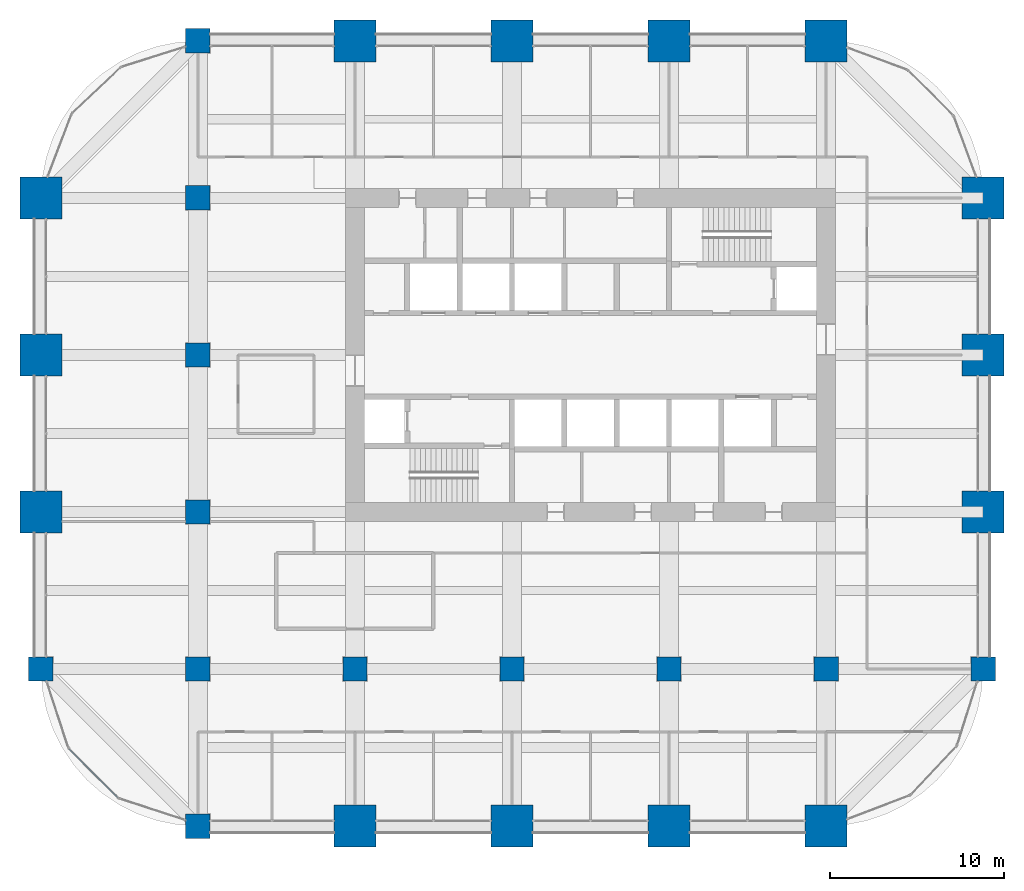
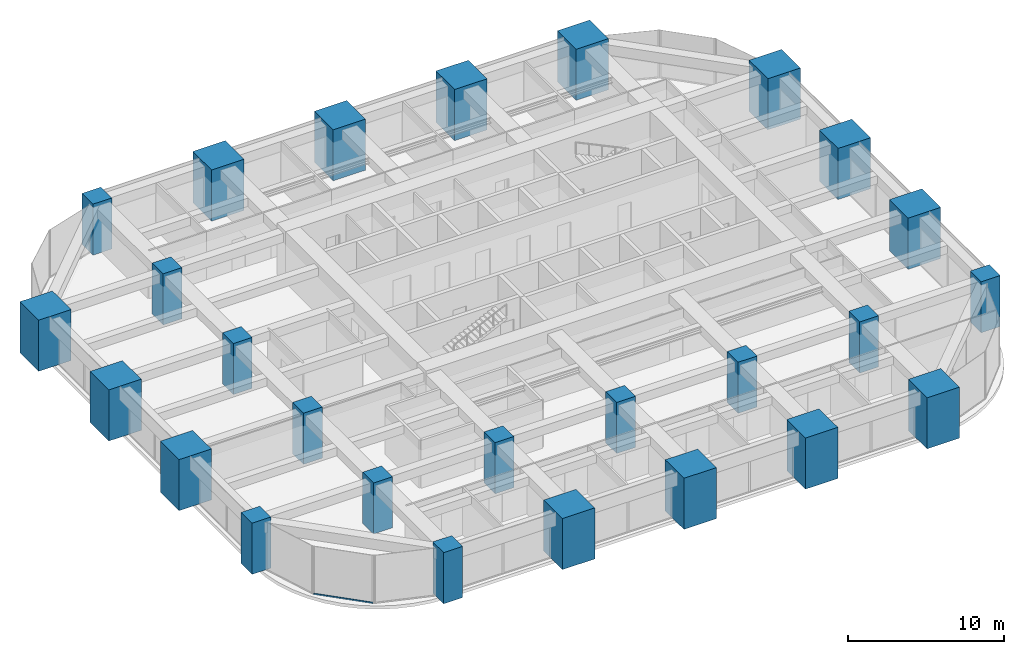
# One storey, part 1 of 33: 26 columns, 1 member, 1 element without a shape of its own.
"""IFC4 building model written with IfcOpenShell, lengths in metres."""

from ifc_helpers import new_model, si_unit, direction, frame, origin, origin_2d, place, context, subcontext, project, spatial, rectangle, hollow_rectangle, extrude, material, material_profile, profile_set, type_object, element, aggregate, save


model = new_model("IFC4")

# Units and contexts
model_context = context("Model", 3, precision=1e-05, world=origin(), true_north=direction((0.0, 1.0)))
body_context = subcontext(model_context, "Body", "Model", "MODEL_VIEW")
ifc_project = project(units=[si_unit("LENGTHUNIT", "METRE"), si_unit("AREAUNIT", "SQUARE_METRE"), si_unit("VOLUMEUNIT", "CUBIC_METRE"), si_unit("PLANEANGLEUNIT", "RADIAN"), si_unit("MASSUNIT", "GRAM", prefix="KILO")], contexts=[model_context])

# Site, building, storey
site_placement = place(None, origin())
site = spatial("IfcSite", under=ifc_project, at=site_placement, CompositionType="ELEMENT")
building_placement = place(site_placement, origin())
building = spatial("IfcBuilding", under=site, at=building_placement, Name="Zorevar Civic Tower", CompositionType="ELEMENT")
storey_placement = place(building_placement, frame((0.0, 0.0, 210.199951171875)))
storey = spatial("IfcBuildingStorey", under=building, at=storey_placement, Name="L51", CompositionType="ELEMENT", Elevation=210.199951171875)

# Columns
ifc_material_1 = material(Name="Concrete C50/60", Category="concrete")
ifc_material_profile_1 = material_profile(ifc_material_1, rectangle(XDim=1.39990234375, YDim=1.39990234375, at=origin_2d()), Name="RC 1400x1400")
ifc_profile_set_1 = profile_set([ifc_material_profile_1], Name="Concrete C50/60")
column_type_1 = type_object("IfcColumnType", Name="Column RC 1400x1400", PredefinedType="COLUMN", material=ifc_profile_set_1)
for number, where, z_axis, x_axis, name in (
    (1, (0.0, 9.0, 0.0), (0.0, 0.0, 1.0), (1.0, 0.0, 0.0), "Column 2B L51"),
    (2, (9.0, 0.0, 0.0), (0.0, 0.0, 1.0), (1.0, 0.0, 0.0), "Column 3A L51"),
    (3, (9.0, 9.0, 0.0), (0.0, 0.0, 1.0), (1.0, 0.0, 0.0), "Column 3B L51"),
    (4, (9.0, 18.0, 0.0), (0.0, 0.0, 1.0), (1.0, 0.0, 0.0), "Column 3C L51"),
    (5, (9.0, 27.0, 0.0), (0.0, 0.0, 1.0), (1.0, 0.0, 0.0), "Column 3D L51"),
    (6, (9.0, 36.0, 0.0), (0.0, 0.0, 1.0), (1.0, 0.0, 0.0), "Column 3E L51"),
    (7, (9.0, 45.0, 0.0), (0.0, 0.0, 1.0), (1.0, 0.0, 0.0), "Column 3F L51"),
    (8, (18.0, 9.0, 0.0), (0.0, 0.0, 1.0), (1.0, 0.0, 0.0), "Column 4B L51"),
    (9, (27.0, 9.0, 0.0), (0.0, 0.0, 1.0), (1.0, 0.0, 0.0), "Column 5B L51"),
    (10, (36.0, 9.0, 0.0), (0.0, 0.0, 1.0), (1.0, 0.0, 0.0), "Column 6B L51"),
    (11, (45.0, 9.0, 0.0), (0.0, 0.0, 1.0), (1.0, 0.0, 0.0), "Column 7B L51"),
    (12, (54.0, 9.0, 0.0), (0.0, 0.0, 1.0), (1.0, 0.0, 0.0), "Column 8B L51"),
):
    element("IfcColumn", number, at=place(storey_placement, frame(where, z_axis=z_axis, x_axis=x_axis)), inside=storey, type_object=column_type_1, Name=name, PredefinedType="COLUMN", context=body_context, shape_type="SweptSolid", body=[
        extrude(rectangle(XDim=1.39990234375, YDim=1.39990234375, at=origin_2d()), origin(), (0.0, 0.0, 1.0), 4.0),
    ])
ifc_material_2 = material(Name="Concrete C50/60", Category="concrete")
ifc_material_profile_2 = material_profile(ifc_material_2, rectangle(XDim=2.39990234375, YDim=2.39990234375, at=origin_2d()), Name="RC 2400x2400")
ifc_profile_set_2 = profile_set([ifc_material_profile_2], Name="Concrete C50/60")
column_type_2 = type_object("IfcColumnType", Name="Mega column RC 2400x2400", PredefinedType="COLUMN", material=ifc_profile_set_2)
for number, where, z_axis, x_axis, name in (
    (13, (0.0, 18.0, 0.0), (0.0, 0.0, 1.0), (1.0, 0.0, 0.0), "Column 2C L51"),
    (14, (0.0, 27.0, 0.0), (0.0, 0.0, 1.0), (1.0, 0.0, 0.0), "Column 2D L51"),
    (15, (0.0, 36.0, 0.0), (0.0, 0.0, 1.0), (1.0, 0.0, 0.0), "Column 2E L51"),
    (16, (18.0, 0.0, 0.0), (0.0, 0.0, 1.0), (1.0, 0.0, 0.0), "Column 4A L51"),
    (17, (18.0, 45.0, 0.0), (0.0, 0.0, 1.0), (1.0, 0.0, 0.0), "Column 4F L51"),
    (18, (27.0, 0.0, 0.0), (0.0, 0.0, 1.0), (1.0, 0.0, 0.0), "Column 5A L51"),
    (19, (27.0, 45.0, 0.0), (0.0, 0.0, 1.0), (1.0, 0.0, 0.0), "Column 5F L51"),
    (20, (36.0, 0.0, 0.0), (0.0, 0.0, 1.0), (1.0, 0.0, 0.0), "Column 6A L51"),
    (21, (36.0, 45.0, 0.0), (0.0, 0.0, 1.0), (1.0, 0.0, 0.0), "Column 6F L51"),
    (22, (45.0, 0.0, 0.0), (0.0, 0.0, 1.0), (1.0, 0.0, 0.0), "Column 7A L51"),
    (23, (45.0, 45.0, 0.0), (0.0, 0.0, 1.0), (1.0, 0.0, 0.0), "Column 7F L51"),
    (24, (54.0, 18.0, 0.0), (0.0, 0.0, 1.0), (1.0, 0.0, 0.0), "Column 8C L51"),
    (25, (54.0, 27.0, 0.0), (0.0, 0.0, 1.0), (1.0, 0.0, 0.0), "Column 8D L51"),
    (26, (54.0, 36.0, 0.0), (0.0, 0.0, 1.0), (1.0, 0.0, 0.0), "Column 8E L51"),
):
    element("IfcColumn", number, at=place(storey_placement, frame(where, z_axis=z_axis, x_axis=x_axis)), inside=storey, type_object=column_type_2, Name=name, PredefinedType="COLUMN", context=body_context, shape_type="SweptSolid", body=[
        extrude(rectangle(XDim=2.39990234375, YDim=2.39990234375, at=origin_2d()), origin(), (0.0, 0.0, 1.0), 4.0),
    ])

# Curtain wall, member
ifc_material_3 = material(Name="Dark grey solar-control glass in black aluminium frame", Category="aluminium")
curtain_wall_type = type_object("IfcCurtainWallType", Name="Curtain wall CW4 high zone", PredefinedType="NOTDEFINED", material=ifc_material_3)
curtain_wall_placement = place(storey_placement, origin())
curtain_wall = element("IfcCurtainWall", 27, at=curtain_wall_placement, inside=storey, type_object=curtain_wall_type, Name="CW4 L51", PredefinedType="NOTDEFINED")
ifc_material_4 = material(Name="Aluminium, black anodised", Category="aluminium")
ifc_material_profile_3 = material_profile(ifc_material_4, hollow_rectangle(XDim=0.06005859375, YDim=0.1201171875, WallThickness=0.0029296875, at=origin_2d()), Name="AL 120x60x3")
ifc_profile_set_3 = profile_set([ifc_material_profile_3], Name="Aluminium, black anodised")
member_type = type_object("IfcMemberType", Name="CW4 transom AL 120x60x3", PredefinedType="USERDEFINED", material=ifc_profile_set_3)
member_placement = place(storey_placement, frame((1.62744140625, 4.406982421875, 0.030029296875), z_axis=(0.707106781187, -0.707106781187, 0.0), x_axis=(0.707106781187, 0.707106781187, 0.0)))
member = element("IfcMember", 28, at=member_placement, type_object=member_type, Name="CW4 sill transom", ObjectType="TRANSOM", PredefinedType="USERDEFINED", context=body_context, shape_type="SweptSolid", body=[
    extrude(hollow_rectangle(XDim=0.06005859375, YDim=0.1201171875, WallThickness=0.0029296875, at=origin_2d()), origin(), (0.0, 0.0, 1.0), 3.930908203125),
])
aggregate(curtain_wall, [member])

save(model, "model.ifc")
